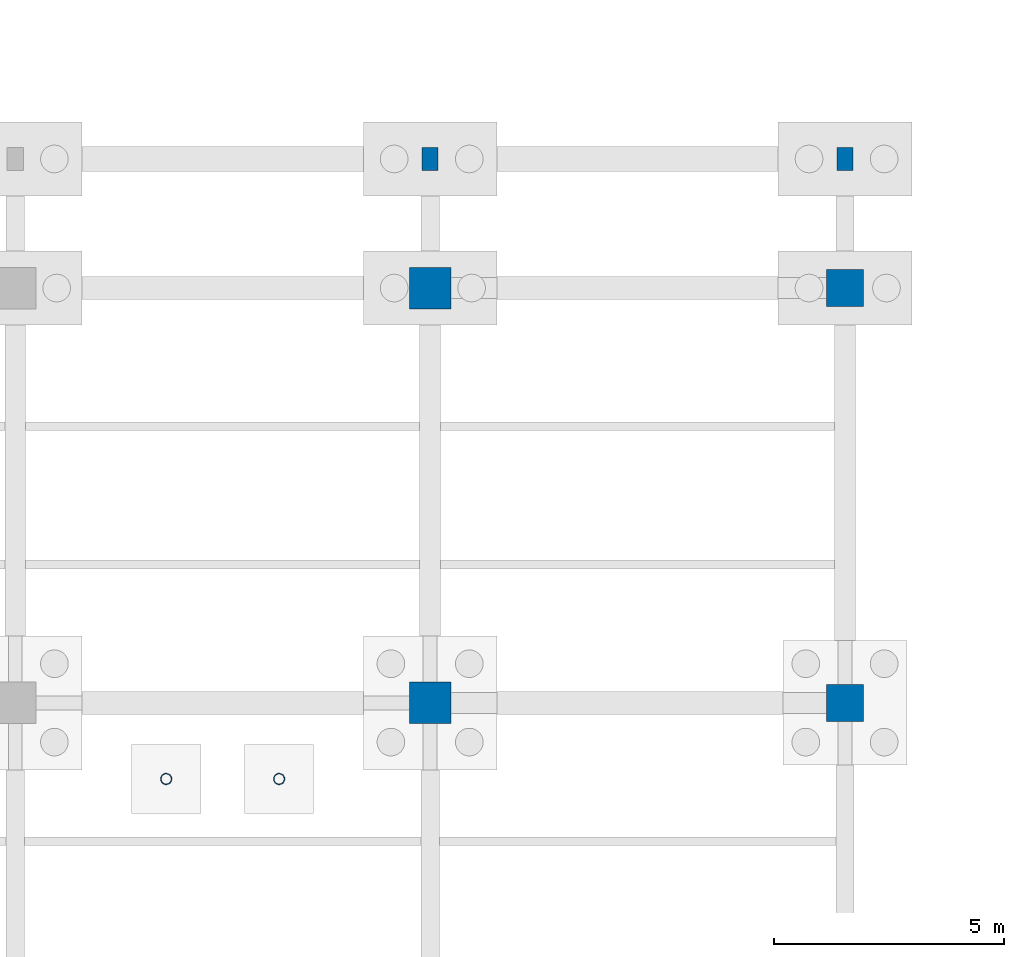
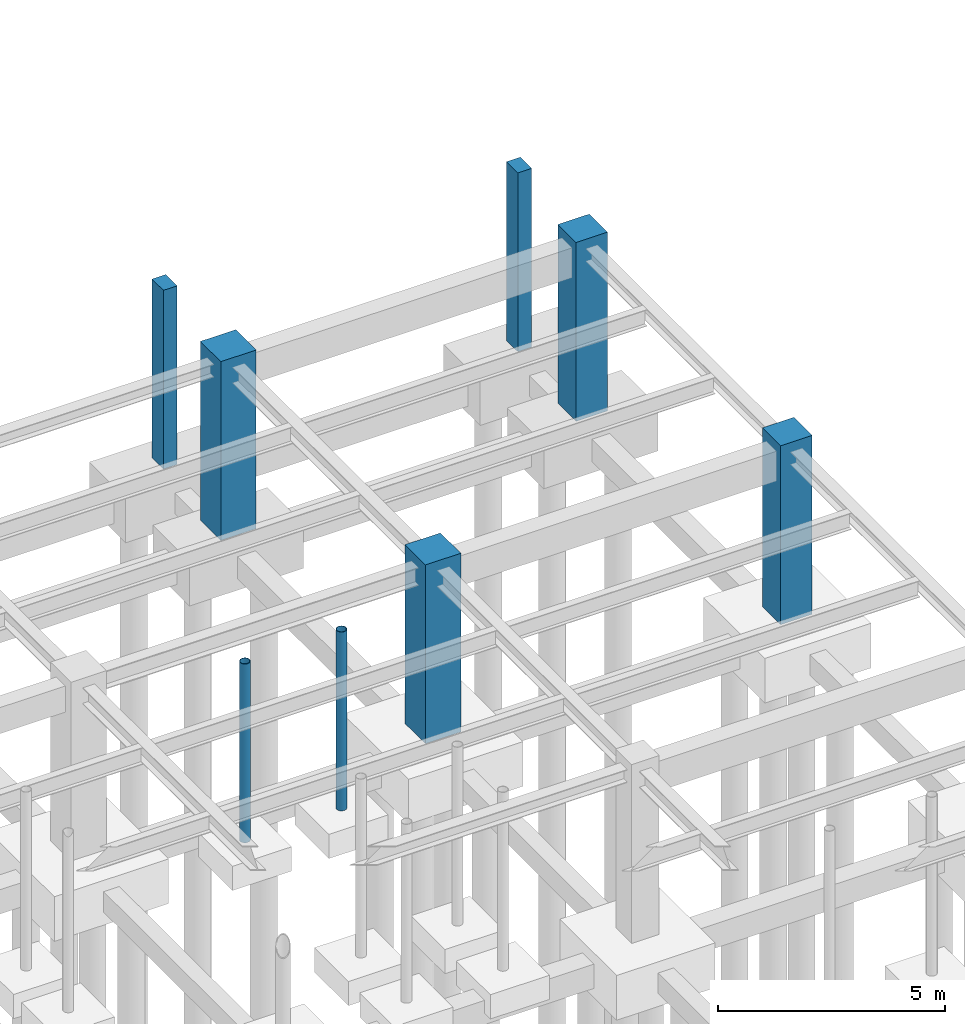
# One storey, part 27 of 49: 8 columns.
"""IFC4 building model written with IfcOpenShell, lengths in metres."""

from ifc_helpers import new_model, si_unit, direction, frame, origin, origin_2d, place, context, subcontext, project, spatial, rectangle, hollow_circle, extrude, material, material_profile, profile_set, type_object, element, save


model = new_model("IFC4")

# Units and contexts
model_context = context("Model", 3, precision=1e-05, world=origin(), true_north=direction((0.0, 1.0)))
body_context = subcontext(model_context, "Body", "Model", "MODEL_VIEW")
ifc_project = project(units=[si_unit("LENGTHUNIT", "METRE"), si_unit("AREAUNIT", "SQUARE_METRE"), si_unit("VOLUMEUNIT", "CUBIC_METRE"), si_unit("PLANEANGLEUNIT", "RADIAN"), si_unit("MASSUNIT", "GRAM", prefix="KILO")], contexts=[model_context])

# Site, building, storey
site_placement = place(None, origin())
site = spatial("IfcSite", under=ifc_project, at=site_placement, CompositionType="ELEMENT")
building_placement = place(site_placement, origin())
building = spatial("IfcBuilding", under=site, at=building_placement, Name="Lykobir Media Centre", CompositionType="ELEMENT")
storey_placement = place(building_placement, frame((0.0, 0.0, -4.800048828125)))
storey = spatial("IfcBuildingStorey", under=building, at=storey_placement, Name="B1", CompositionType="ELEMENT", Elevation=-4.800048828125)

# Columns
ifc_material_1 = material(Name="Honed Travertine Stone", Category="masonry")
ifc_material_profile_1 = material_profile(ifc_material_1, rectangle(XDim=0.35009765625, YDim=0.5, at=origin_2d()), Name="RC PILASTER 500x350")
ifc_profile_set_1 = profile_set([ifc_material_profile_1], Name="Honed Travertine Stone")
column_type_1 = type_object("IfcColumnType", Name="PIL-500", PredefinedType="PILASTER", material=ifc_profile_set_1)
for number, where, z_axis, x_axis, name in (
    (1, (72.0, 110.800048828125, 0.0), (0.0, 0.0, 1.0), (1.0, 0.0, 0.0), "North Revak B1 pier 72.0"),
    (2, (81.0, 110.800048828125, 0.0), (0.0, 0.0, 1.0), (1.0, 0.0, 0.0), "North Revak B1 pier 81.0"),
):
    element("IfcColumn", number, at=place(storey_placement, frame(where, z_axis=z_axis, x_axis=x_axis)), inside=storey, type_object=column_type_1, Name=name, PredefinedType="PILASTER", context=body_context, shape_type="SweptSolid", body=[
        extrude(rectangle(XDim=0.35009765625, YDim=0.5, at=origin_2d()), origin(), (0.0, 0.0, 1.0), 4.800048828125),
    ])
ifc_material_2 = material(Name="Concrete C40/50", Category="concrete")
ifc_material_profile_2 = material_profile(ifc_material_2, rectangle(XDim=0.800048828125, YDim=0.800048828125, at=origin_2d()), Name="RC 800x800")
ifc_profile_set_2 = profile_set([ifc_material_profile_2], Name="Concrete C40/50")
column_type_2 = type_object("IfcColumnType", Name="RC-C800-E", PredefinedType="COLUMN", material=ifc_profile_set_2)
for number, where, z_axis, x_axis, name in (
    (3, (81.0, 99.0, 0.0), (0.0, 0.0, 1.0), (1.0, 0.0, 0.0), "Column COL-B1-0810-0990"),
    (4, (81.0, 108.0, 0.0), (0.0, 0.0, 1.0), (1.0, 0.0, 0.0), "Column COL-B1-0810-1080"),
):
    element("IfcColumn", number, at=place(storey_placement, frame(where, z_axis=z_axis, x_axis=x_axis)), inside=storey, type_object=column_type_2, Name=name, PredefinedType="COLUMN", context=body_context, shape_type="SweptSolid", body=[
        extrude(rectangle(XDim=0.800048828125, YDim=0.800048828125, at=origin_2d()), origin(), (0.0, 0.0, 1.0), 4.800048828125),
    ])
ifc_material_profile_3 = material_profile(ifc_material_2, rectangle(XDim=0.89990234375, YDim=0.89990234375, at=origin_2d()), Name="RC 900x900")
ifc_profile_set_3 = profile_set([ifc_material_profile_3], Name="Concrete C40/50")
column_type_3 = type_object("IfcColumnType", Name="RC-C900", PredefinedType="COLUMN", material=ifc_profile_set_3)
column_1_placement = place(storey_placement, frame((72.0, 99.0, 0.0), z_axis=(0.0, 0.0, 1.0), x_axis=(1.0, 0.0, 0.0)))
element("IfcColumn", 5, at=column_1_placement, inside=storey, type_object=column_type_3, Name="Column COL-B1-0720-0990", PredefinedType="COLUMN", context=body_context, shape_type="SweptSolid", body=[
    extrude(rectangle(XDim=0.89990234375, YDim=0.89990234375, at=origin_2d()), origin(), (0.0, 0.0, 1.0), 4.800048828125),
])
ifc_material_profile_4 = material_profile(ifc_material_2, rectangle(XDim=0.89990234375, YDim=0.89990234375, at=origin_2d()), Name="RC 900x900")
ifc_profile_set_4 = profile_set([ifc_material_profile_4], Name="Concrete C40/50")
column_type_4 = type_object("IfcColumnType", Name="RC-C900-E", PredefinedType="COLUMN", material=ifc_profile_set_4)
column_2_placement = place(storey_placement, frame((72.0, 108.0, 0.0), z_axis=(0.0, 0.0, 1.0), x_axis=(1.0, 0.0, 0.0)))
element("IfcColumn", 6, at=column_2_placement, inside=storey, type_object=column_type_4, Name="Column COL-B1-0720-1080", PredefinedType="COLUMN", context=body_context, shape_type="SweptSolid", body=[
    extrude(rectangle(XDim=0.89990234375, YDim=0.89990234375, at=origin_2d()), origin(), (0.0, 0.0, 1.0), 4.800048828125),
])
ifc_material_3 = material(Name="Steel S355", Category="steel")
ifc_material_profile_5 = material_profile(ifc_material_3, hollow_circle(Radius=0.122314453125, WallThickness=0.012451171875, at=origin_2d()), Name="CHS 244.5x12.5")
ifc_profile_set_5 = profile_set([ifc_material_profile_5], Name="Steel S355")
column_type_5 = type_object("IfcColumnType", Name="SC-CHS244", PredefinedType="COLUMN", material=ifc_profile_set_5)
for number, where, z_axis, x_axis, name in (
    (7, (66.27490234375, 97.35009765625, 0.0), (0.0, 0.0, 1.0), (1.0, 0.0, 0.0), "Valley arrival column B1 A2-663"),
    (8, (68.72509765625, 97.35009765625, 0.0), (0.0, 0.0, 1.0), (1.0, 0.0, 0.0), "Valley arrival column B1 A2-687"),
):
    element("IfcColumn", number, at=place(storey_placement, frame(where, z_axis=z_axis, x_axis=x_axis)), inside=storey, type_object=column_type_5, Name=name, PredefinedType="COLUMN", context=body_context, shape_type="SweptSolid", body=[
        extrude(hollow_circle(Radius=0.122314453125, WallThickness=0.012451171875, at=origin_2d()), origin(), (0.0, 0.0, 1.0), 4.800048828125),
    ])

save(model, "model.ifc")
